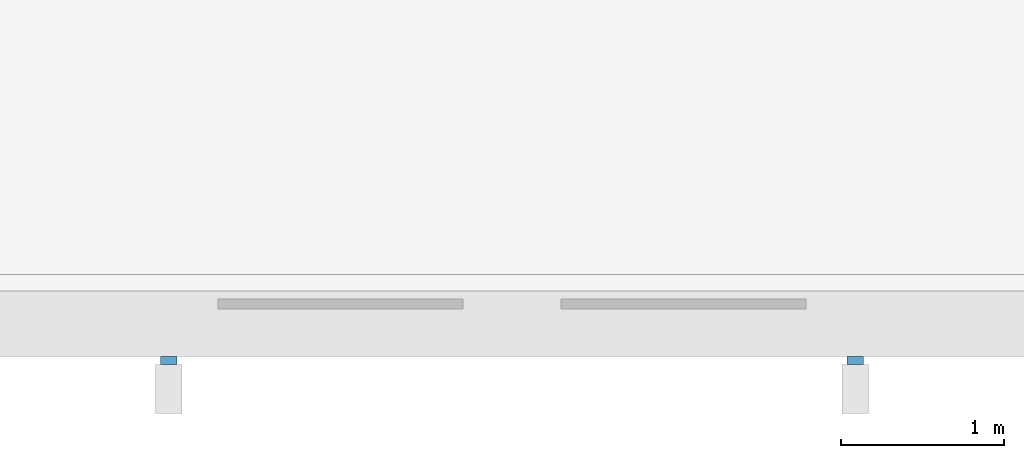
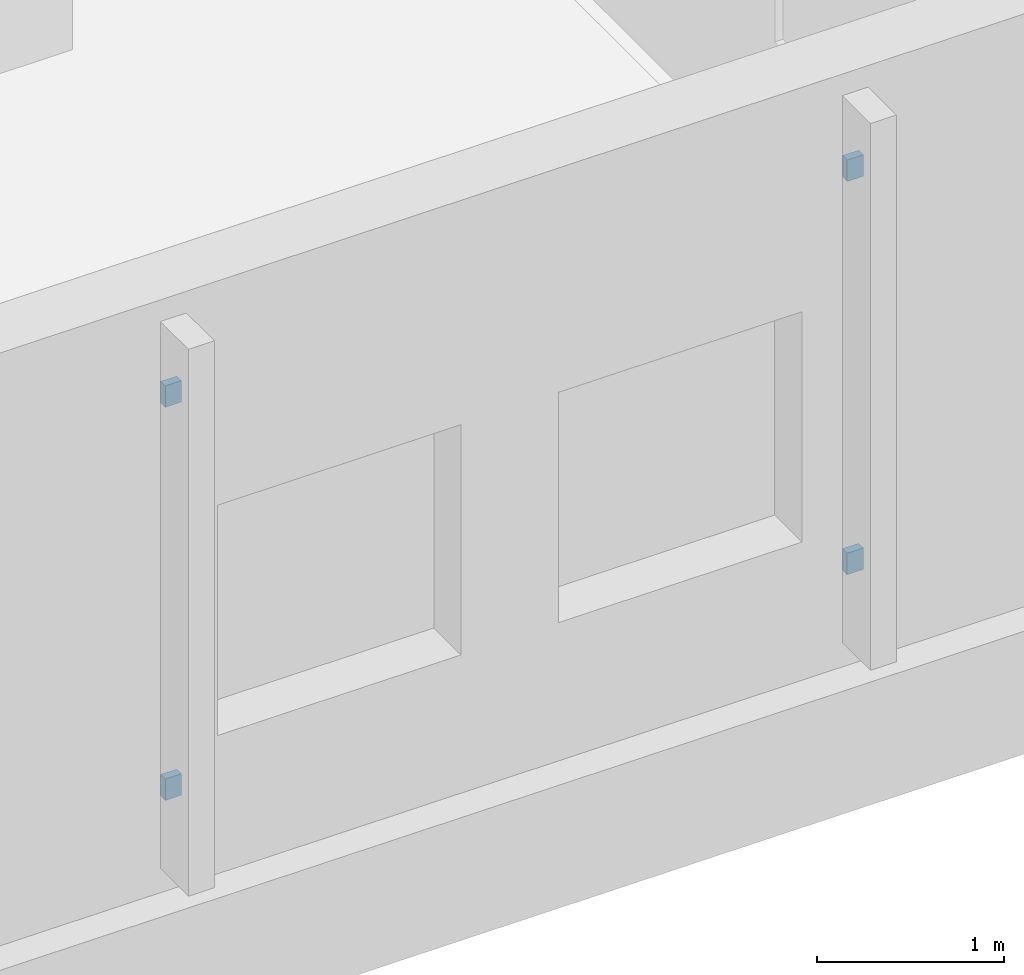
# One storey, part 52 of 79: 4 discrete accessories.
"""IFC4 building model written with IfcOpenShell, lengths in metres."""

from ifc_helpers import new_model, si_unit, direction, frame, origin, origin_2d, place, context, subcontext, project, spatial, rectangle, extrude, material, layer, layer_set, type_object, element, save


model = new_model("IFC4")

# Units and contexts
model_context = context("Model", 3, precision=1e-05, world=origin(), true_north=direction((0.0, 1.0)))
body_context = subcontext(model_context, "Body", "Model", "MODEL_VIEW")
ifc_project = project(units=[si_unit("LENGTHUNIT", "METRE"), si_unit("AREAUNIT", "SQUARE_METRE"), si_unit("VOLUMEUNIT", "CUBIC_METRE"), si_unit("PLANEANGLEUNIT", "RADIAN"), si_unit("MASSUNIT", "GRAM", prefix="KILO")], contexts=[model_context])

# Site, building, storey
site_placement = place(None, origin())
site = spatial("IfcSite", under=ifc_project, at=site_placement, CompositionType="ELEMENT")
building_placement = place(site_placement, origin())
building = spatial("IfcBuilding", under=site, at=building_placement, Name="Larchfold Concert Hall", CompositionType="ELEMENT")
storey_placement = place(building_placement, frame((0.0, 0.0, 14.39990234375)))
storey = spatial("IfcBuildingStorey", under=building, at=storey_placement, Name="L03", CompositionType="ELEMENT", Elevation=14.39990234375)

# Discrete accessories
ifc_material = material(Name="Steel S355 galvanised bracket", Category="steel")
ifc_layer = layer(ifc_material, 0.10009765625)
ifc_layer_set = layer_set([ifc_layer], Name="Steel S355 galvanised bracket")
discrete_accessory_type = type_object("IfcDiscreteAccessoryType", Name="Fin support bracket short", PredefinedType="BRACKET", material=ifc_layer_set)
for number, where, z_axis, x_axis, name in (
    (1, (36.300048828125, 0.375, 0.6298828125), (0.0, 0.0, 1.0), (0.0, -1.0, 0.0), "Fin bracket FN-L03-024-1"),
    (2, (36.300048828125, 0.375, 3.18994140625), (0.0, 0.0, 1.0), (0.0, -1.0, 0.0), "Fin bracket FN-L03-024-2"),
    (3, (40.5, 0.375, 0.6298828125), (0.0, 0.0, 1.0), (0.0, -1.0, 0.0), "Fin bracket FN-L03-025-1"),
    (4, (40.5, 0.375, 3.18994140625), (0.0, 0.0, 1.0), (0.0, -1.0, 0.0), "Fin bracket FN-L03-025-2"),
):
    element("IfcDiscreteAccessory", number, at=place(storey_placement, frame(where, z_axis=z_axis, x_axis=x_axis)), inside=storey, type_object=discrete_accessory_type, Name=name, PredefinedType="BRACKET", context=body_context, shape_type="SweptSolid", body=[
        extrude(rectangle(XDim=0.050048828125, YDim=0.10009765625, at=origin_2d()), origin(), (0.0, 0.0, 1.0), 0.139892578125),
    ])

save(model, "model.ifc")
